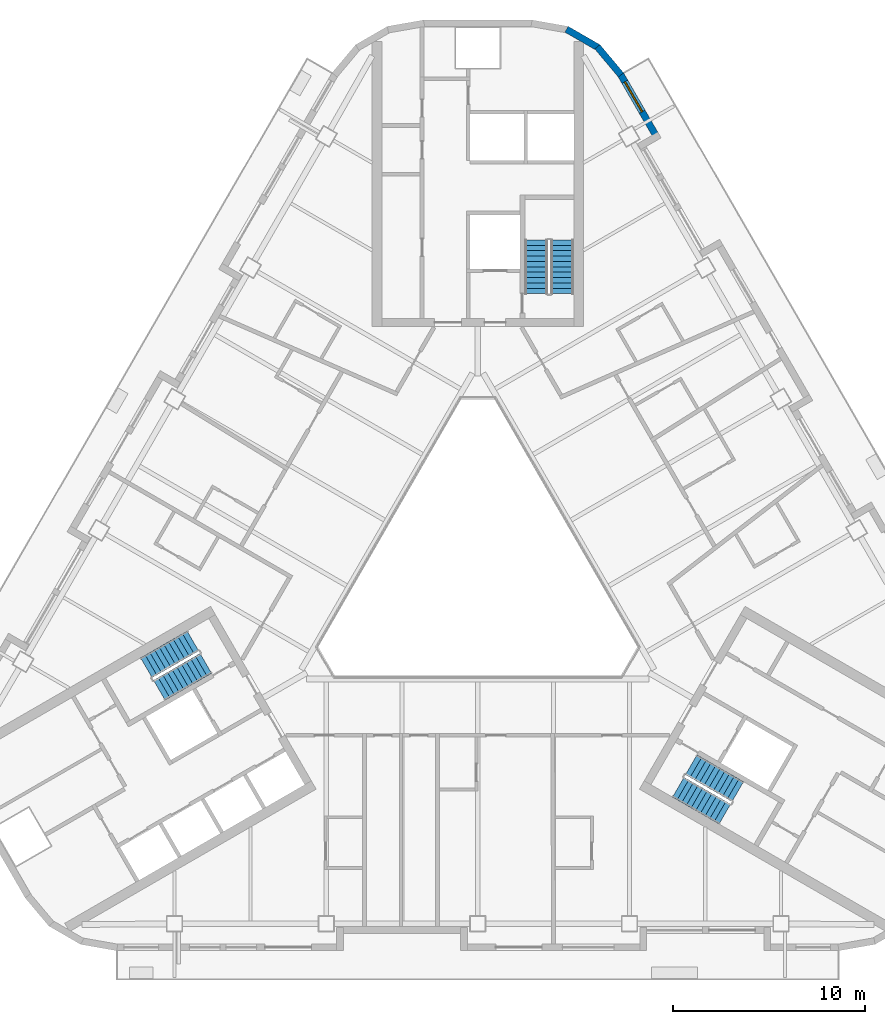
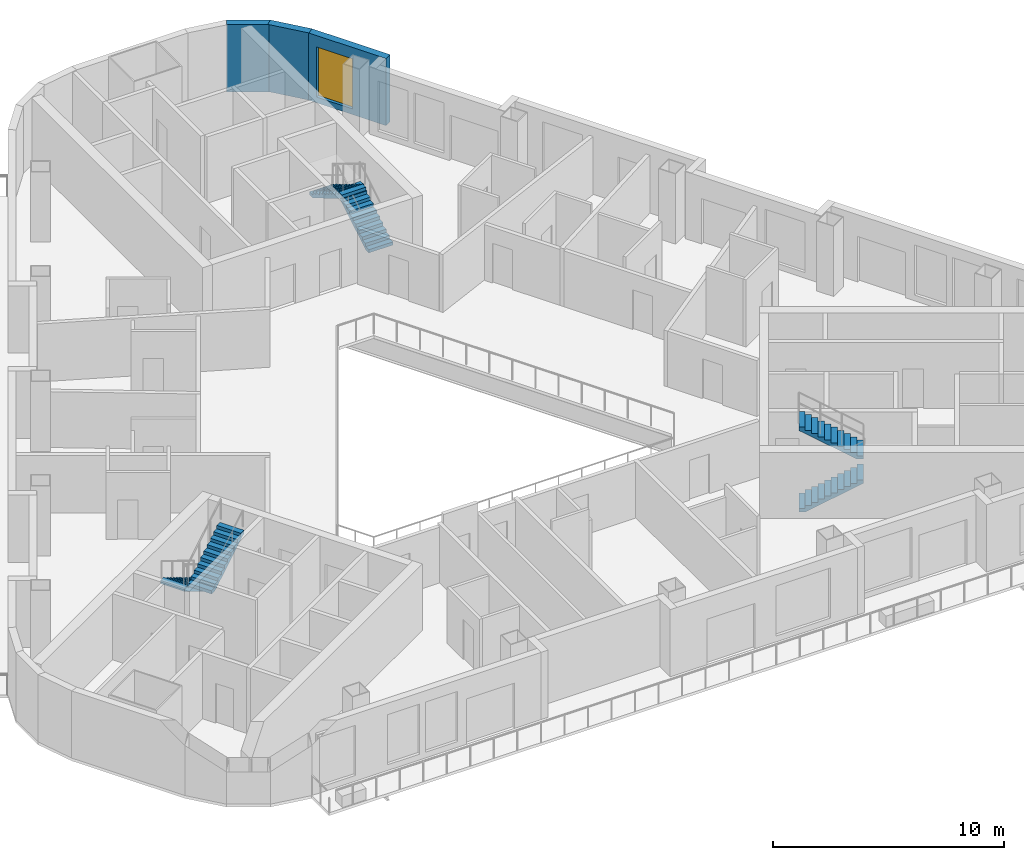
# One storey, part 8 of 14: 6 stair flights, 3 walls, 1 window, 1 opening, 3 elements without a shape of their own.
"""IFC4 building model written with IfcOpenShell, lengths in metres."""

from ifc_helpers import new_model, si_unit, direction, frame, frame_2d, origin, place, context, subcontext, project, spatial, polyline, rectangle, outline, extrude, material, layer, layer_set, type_object, element, fill, aggregate, save


model = new_model("IFC4")

# Units and contexts
model_context = context("Model", 3, precision=1e-05, world=origin(), true_north=direction((0.0, 1.0)))
body_context = subcontext(model_context, "Body", "Model", "MODEL_VIEW")
ifc_project = project(units=[si_unit("LENGTHUNIT", "METRE"), si_unit("AREAUNIT", "SQUARE_METRE"), si_unit("VOLUMEUNIT", "CUBIC_METRE"), si_unit("PLANEANGLEUNIT", "RADIAN"), si_unit("MASSUNIT", "GRAM", prefix="KILO")], contexts=[model_context])

# Site, building, storey
site_placement = place(None, origin())
site = spatial("IfcSite", under=ifc_project, at=site_placement, CompositionType="ELEMENT")
building_placement = place(site_placement, origin())
building = spatial("IfcBuilding", under=site, at=building_placement, Name="Apuvela Tower Hotel", CompositionType="ELEMENT")
storey_placement = place(building_placement, frame((0.0, 0.0, 179.89990234375)))
storey = spatial("IfcBuildingStorey", under=building, at=storey_placement, Name="L43", CompositionType="ELEMENT", Elevation=179.89990234375)

# Wall, opening, window
ifc_material_1 = material(Name="Concrete C40/50, dark pigmented precast panel", Category="concrete")
ifc_layer = layer(ifc_material_1, 0.35009765625)
ifc_layer_set = layer_set([ifc_layer], Name="ENV-WALL-350")
wall_type = type_object("IfcWallType", Name="ENV-WALL-350", PredefinedType="SOLIDWALL", material=ifc_layer_set)
wall_1_placement = place(storey_placement, frame((9.3984375, 22.631103515625, 0.0), z_axis=(0.0, 0.0, 1.0), x_axis=(-0.499954521343, 0.866051659307, 0.0)))
wall_1 = element("IfcWall", 1, at=wall_1_placement, inside=storey, type_object=wall_type, Name="External wall L43-41", PredefinedType="SOLIDWALL", context=body_context, shape_type="SweptSolid", body=[
    extrude(rectangle(XDim=3.915771484375, YDim=0.35009765625, at=frame_2d((1.9580078125, 0.0))), origin(), (0.0, 0.0, 1.0), 3.550048828125),
])
opening_placement = place(wall_1_placement, frame((1.67529296875, 0.0, 0.300048828125)))
opening = element("IfcOpeningElement", 2, at=opening_placement, cuts=wall_1, Name="Opening WN18", PredefinedType="OPENING", context=body_context, shape_type="SweptSolid", body=[
    extrude(rectangle(XDim=1.800048828125, YDim=2.64990234375, at=frame_2d((0.89990234375, 1.324951171875))), frame((0.0, 0.18505859375, 0.0), z_axis=(0.0, -1.0, 0.0), x_axis=(1.0, 0.0, 0.0)), (0.0, 0.0, 1.0), 0.3701171875),
])
ifc_material_2 = material(Name="Glass, dark tinted laminated insulated glazing unit", Category="glass")
window_type = type_object("IfcWindowType", Name="ENV-WIN-1800x2650", PartitioningType="SINGLE_PANEL", PredefinedType="WINDOW", material=ifc_material_2)
window_placement = place(opening_placement, origin())
window = element("IfcWindow", 3, at=window_placement, inside=storey, type_object=window_type, Name="Window WN18", OverallHeight=2.64990234375, OverallWidth=1.800048828125, PartitioningType="SINGLE_PANEL", PredefinedType="WINDOW", context=body_context, shape_type="SweptSolid", body=[
    extrude(rectangle(XDim=1.800048828125, YDim=2.64990234375, at=frame_2d((0.89990234375, 1.324951171875))), frame((0.0, 0.030029296875, 0.0), z_axis=(0.0, -1.0, 0.0), x_axis=(1.0, 0.0, 0.0)), (0.0, 0.0, 1.0), 0.06005859375),
])
fill(opening, window)

# Walls
wall_2_placement = place(storey_placement, frame((7.4580078125, 25.99755859375, 0.0), z_axis=(0.0, 0.0, 1.0), x_axis=(-0.642808304945, 0.766027077259, 0.0)))
element("IfcWall", 4, at=wall_2_placement, inside=storey, type_object=wall_type, Name="External wall L43-42", PredefinedType="SOLIDWALL", context=body_context, shape_type="SweptSolid", body=[
    extrude(rectangle(XDim=1.909912109375, YDim=0.35009765625, at=frame_2d((0.955078125, 0.0))), origin(), (0.0, 0.0, 1.0), 3.550048828125),
])
wall_3_placement = place(storey_placement, frame((6.27685546875, 27.421630859375, 0.0), z_axis=(0.0, 0.0, 1.0), x_axis=(-0.866032345022, 0.499987977232, 0.0)))
element("IfcWall", 5, at=wall_3_placement, inside=storey, type_object=wall_type, Name="External wall L43-43", PredefinedType="SOLIDWALL", context=body_context, shape_type="SweptSolid", body=[
    extrude(rectangle(XDim=1.91015625, YDim=0.35009765625, at=frame_2d((0.955078125, 0.0))), origin(), (0.0, 0.0, 1.0), 3.550048828125),
])

# Stair, stair flights
ifc_material_3 = material(Name="Concrete C50/60", Category="concrete")
stair_type = type_object("IfcStairType", Name="COR-STAIR-22R", PredefinedType="HALF_TURN_STAIR", material=ifc_material_3)
stair_1_placement = place(storey_placement, origin())
stair_1 = element("IfcStair", 6, at=stair_1_placement, inside=storey, type_object=stair_type, Name="L43 Exit stair ST1", PredefinedType="HALF_TURN_STAIR")
stair_flight_type = type_object("IfcStairFlightType", Name="COR-FLIGHT-11R", PredefinedType="STRAIGHT", material=ifc_material_3)
stair_flight_1_placement = place(storey_placement, frame((4.39990234375, 14.60009765625, 0.0), z_axis=(0.0, 0.0, 1.0), x_axis=(0.0, 1.0, 0.0)))
stair_flight_1 = element("IfcStairFlight", 7, at=stair_flight_1_placement, type_object=stair_flight_type, Name="ST1 flight 1", NumberOfRisers=11, NumberOfTreads=10, PredefinedType="STRAIGHT", RiserHeight=0.168181818, TreadLength=0.28, context=body_context, shape_type="SweptSolid", body=[
    extrude(outline(polyline([(0.0, 0.0), (0.0, 0.168212890625), (0.280029296875, 0.168212890625), (0.280029296875, 0.33642578125), (0.56005859375, 0.33642578125), (0.56005859375, 0.504638671875), (0.840087890625, 0.504638671875), (0.840087890625, 0.672607421875), (1.1201171875, 0.672607421875), (1.1201171875, 0.8408203125), (1.39990234375, 0.8408203125), (1.39990234375, 1.009033203125), (1.679931640625, 1.009033203125), (1.679931640625, 1.17724609375), (1.9599609375, 1.17724609375), (1.9599609375, 1.345458984375), (2.239990234375, 1.345458984375), (2.239990234375, 1.513671875), (2.52001953125, 1.513671875), (2.52001953125, 1.681884765625), (2.800048828125, 1.681884765625), (2.800048828125, 1.85009765625), (2.800048828125, 1.5068359375), (0.291015625, 0.0), (0.0, 0.0)])), frame((0.0, 0.60009765625, 0.0), z_axis=(0.0, -1.0, 0.0), x_axis=(1.0, 0.0, 0.0)), (0.0, 0.0, 1.0), 1.199951171875),
])
stair_flight_2_placement = place(storey_placement, frame((3.050048828125, 17.39990234375, 1.85009765625), z_axis=(0.0, 0.0, 1.0), x_axis=(0.0, -1.0, 0.0)))
stair_flight_2 = element("IfcStairFlight", 8, at=stair_flight_2_placement, type_object=stair_flight_type, Name="ST1 flight 2", NumberOfRisers=11, NumberOfTreads=10, PredefinedType="STRAIGHT", RiserHeight=0.168181818, TreadLength=0.28, context=body_context, shape_type="SweptSolid", body=[
    extrude(outline(polyline([(0.0, 0.0), (0.0, 0.168212890625), (0.280029296875, 0.168212890625), (0.280029296875, 0.33642578125), (0.56005859375, 0.33642578125), (0.56005859375, 0.504638671875), (0.840087890625, 0.504638671875), (0.840087890625, 0.672607421875), (1.1201171875, 0.672607421875), (1.1201171875, 0.8408203125), (1.39990234375, 0.8408203125), (1.39990234375, 1.009033203125), (1.679931640625, 1.009033203125), (1.679931640625, 1.17724609375), (1.9599609375, 1.17724609375), (1.9599609375, 1.345458984375), (2.239990234375, 1.345458984375), (2.239990234375, 1.513671875), (2.52001953125, 1.513671875), (2.52001953125, 1.681884765625), (2.800048828125, 1.681884765625), (2.800048828125, 1.85009765625), (2.800048828125, 1.5068359375), (0.291015625, 0.0), (0.0, 0.0)])), frame((0.0, 0.60009765625, 0.0), z_axis=(0.0, -1.0, 0.0), x_axis=(1.0, 0.0, 0.0)), (0.0, 0.0, 1.0), 1.199951171875),
])
aggregate(stair_1, [stair_flight_1, stair_flight_2])

stair_2_placement = place(storey_placement, origin())
stair_2 = element("IfcStair", 9, at=stair_2_placement, inside=storey, type_object=stair_type, Name="L43 Exit stair ST2", PredefinedType="HALF_TURN_STAIR")
stair_flight_3_placement = place(storey_placement, frame((-14.843994140625, -3.489501953125, 0.0), z_axis=(0.0, 0.0, 1.0), x_axis=(-0.866025403784, -0.5, 0.0)))
stair_flight_3 = element("IfcStairFlight", 10, at=stair_flight_3_placement, type_object=stair_flight_type, Name="ST2 flight 1", NumberOfRisers=11, NumberOfTreads=10, PredefinedType="STRAIGHT", RiserHeight=0.168181818, TreadLength=0.28, context=body_context, shape_type="SweptSolid", body=[
    extrude(outline(polyline([(0.0, 0.0), (0.0, 0.168212890625), (0.280029296875, 0.168212890625), (0.280029296875, 0.33642578125), (0.56005859375, 0.33642578125), (0.56005859375, 0.504638671875), (0.840087890625, 0.504638671875), (0.840087890625, 0.672607421875), (1.1201171875, 0.672607421875), (1.1201171875, 0.8408203125), (1.39990234375, 0.8408203125), (1.39990234375, 1.009033203125), (1.679931640625, 1.009033203125), (1.679931640625, 1.17724609375), (1.9599609375, 1.17724609375), (1.9599609375, 1.345458984375), (2.239990234375, 1.345458984375), (2.239990234375, 1.513671875), (2.52001953125, 1.513671875), (2.52001953125, 1.681884765625), (2.800048828125, 1.681884765625), (2.800048828125, 1.85009765625), (2.800048828125, 1.5068359375), (0.291015625, 0.0), (0.0, 0.0)])), frame((0.0, 0.60009765625, 0.0), z_axis=(0.0, -1.0, 0.0), x_axis=(1.0, 0.0, 0.0)), (0.0, 0.0, 1.0), 1.199951171875),
])
stair_flight_4_placement = place(storey_placement, frame((-16.59375, -6.05859375, 1.85009765625), z_axis=(0.0, 0.0, 1.0), x_axis=(0.866025403784, 0.5, 0.0)))
stair_flight_4 = element("IfcStairFlight", 11, at=stair_flight_4_placement, type_object=stair_flight_type, Name="ST2 flight 2", NumberOfRisers=11, NumberOfTreads=10, PredefinedType="STRAIGHT", RiserHeight=0.168181818, TreadLength=0.28, context=body_context, shape_type="SweptSolid", body=[
    extrude(outline(polyline([(0.0, 0.0), (0.0, 0.168212890625), (0.280029296875, 0.168212890625), (0.280029296875, 0.33642578125), (0.56005859375, 0.33642578125), (0.56005859375, 0.504638671875), (0.840087890625, 0.504638671875), (0.840087890625, 0.672607421875), (1.1201171875, 0.672607421875), (1.1201171875, 0.8408203125), (1.39990234375, 0.8408203125), (1.39990234375, 1.009033203125), (1.679931640625, 1.009033203125), (1.679931640625, 1.17724609375), (1.9599609375, 1.17724609375), (1.9599609375, 1.345458984375), (2.239990234375, 1.345458984375), (2.239990234375, 1.513671875), (2.52001953125, 1.513671875), (2.52001953125, 1.681884765625), (2.800048828125, 1.681884765625), (2.800048828125, 1.85009765625), (2.800048828125, 1.5068359375), (0.291015625, 0.0), (0.0, 0.0)])), frame((0.0, 0.60009765625, 0.0), z_axis=(0.0, -1.0, 0.0), x_axis=(1.0, 0.0, 0.0)), (0.0, 0.0, 1.0), 1.199951171875),
])
aggregate(stair_2, [stair_flight_3, stair_flight_4])

stair_3_placement = place(storey_placement, origin())
stair_3 = element("IfcStair", 12, at=stair_3_placement, inside=storey, type_object=stair_type, Name="L43 Exit stair ST3", PredefinedType="HALF_TURN_STAIR")
stair_flight_5_placement = place(storey_placement, frame((10.444091796875, -11.110595703125, 0.0), z_axis=(0.0, 0.0, 1.0), x_axis=(0.866025403784, -0.5, 0.0)))
stair_flight_5 = element("IfcStairFlight", 13, at=stair_flight_5_placement, type_object=stair_flight_type, Name="ST3 flight 1", NumberOfRisers=11, NumberOfTreads=10, PredefinedType="STRAIGHT", RiserHeight=0.168181818, TreadLength=0.28, context=body_context, shape_type="SweptSolid", body=[
    extrude(outline(polyline([(0.0, 0.0), (0.0, 0.168212890625), (0.280029296875, 0.168212890625), (0.280029296875, 0.33642578125), (0.56005859375, 0.33642578125), (0.56005859375, 0.504638671875), (0.840087890625, 0.504638671875), (0.840087890625, 0.672607421875), (1.1201171875, 0.672607421875), (1.1201171875, 0.8408203125), (1.39990234375, 0.8408203125), (1.39990234375, 1.009033203125), (1.679931640625, 1.009033203125), (1.679931640625, 1.17724609375), (1.9599609375, 1.17724609375), (1.9599609375, 1.345458984375), (2.239990234375, 1.345458984375), (2.239990234375, 1.513671875), (2.52001953125, 1.513671875), (2.52001953125, 1.681884765625), (2.800048828125, 1.681884765625), (2.800048828125, 1.85009765625), (2.800048828125, 1.5068359375), (0.291015625, 0.0), (0.0, 0.0)])), frame((0.0, 0.60009765625, 0.0), z_axis=(0.0, -1.0, 0.0), x_axis=(1.0, 0.0, 0.0)), (0.0, 0.0, 1.0), 1.199951171875),
])
stair_flight_6_placement = place(storey_placement, frame((13.5439453125, -11.34130859375, 1.85009765625), z_axis=(0.0, 0.0, 1.0), x_axis=(-0.866025403784, 0.5, 0.0)))
stair_flight_6 = element("IfcStairFlight", 14, at=stair_flight_6_placement, type_object=stair_flight_type, Name="ST3 flight 2", NumberOfRisers=11, NumberOfTreads=10, PredefinedType="STRAIGHT", RiserHeight=0.168181818, TreadLength=0.28, context=body_context, shape_type="SweptSolid", body=[
    extrude(outline(polyline([(0.0, 0.0), (0.0, 0.168212890625), (0.280029296875, 0.168212890625), (0.280029296875, 0.33642578125), (0.56005859375, 0.33642578125), (0.56005859375, 0.504638671875), (0.840087890625, 0.504638671875), (0.840087890625, 0.672607421875), (1.1201171875, 0.672607421875), (1.1201171875, 0.8408203125), (1.39990234375, 0.8408203125), (1.39990234375, 1.009033203125), (1.679931640625, 1.009033203125), (1.679931640625, 1.17724609375), (1.9599609375, 1.17724609375), (1.9599609375, 1.345458984375), (2.239990234375, 1.345458984375), (2.239990234375, 1.513671875), (2.52001953125, 1.513671875), (2.52001953125, 1.681884765625), (2.800048828125, 1.681884765625), (2.800048828125, 1.85009765625), (2.800048828125, 1.5068359375), (0.291015625, 0.0), (0.0, 0.0)])), frame((0.0, 0.60009765625, 0.0), z_axis=(0.0, -1.0, 0.0), x_axis=(1.0, 0.0, 0.0)), (0.0, 0.0, 1.0), 1.199951171875),
])
aggregate(stair_3, [stair_flight_5, stair_flight_6])

save(model, "model.ifc")
